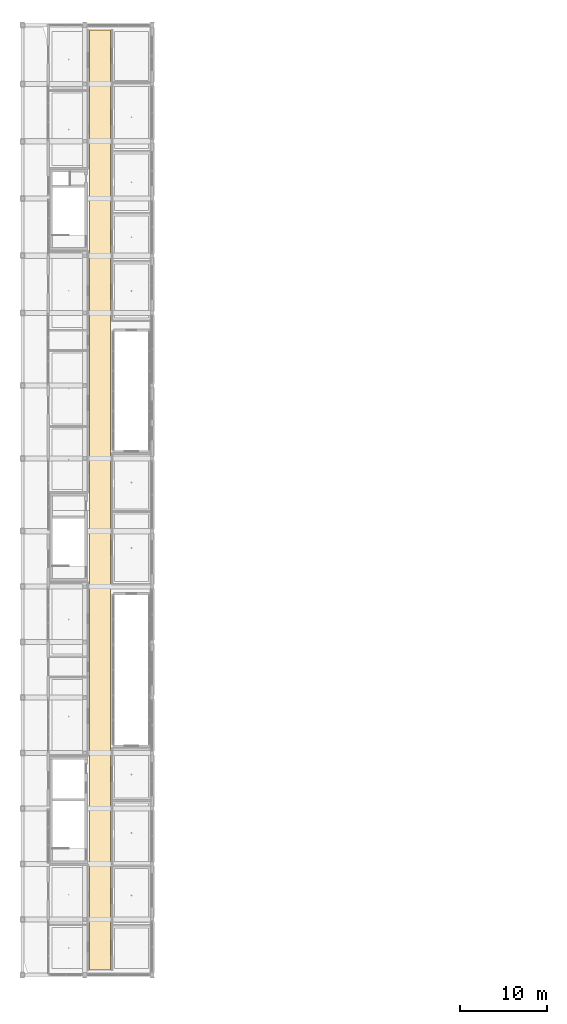
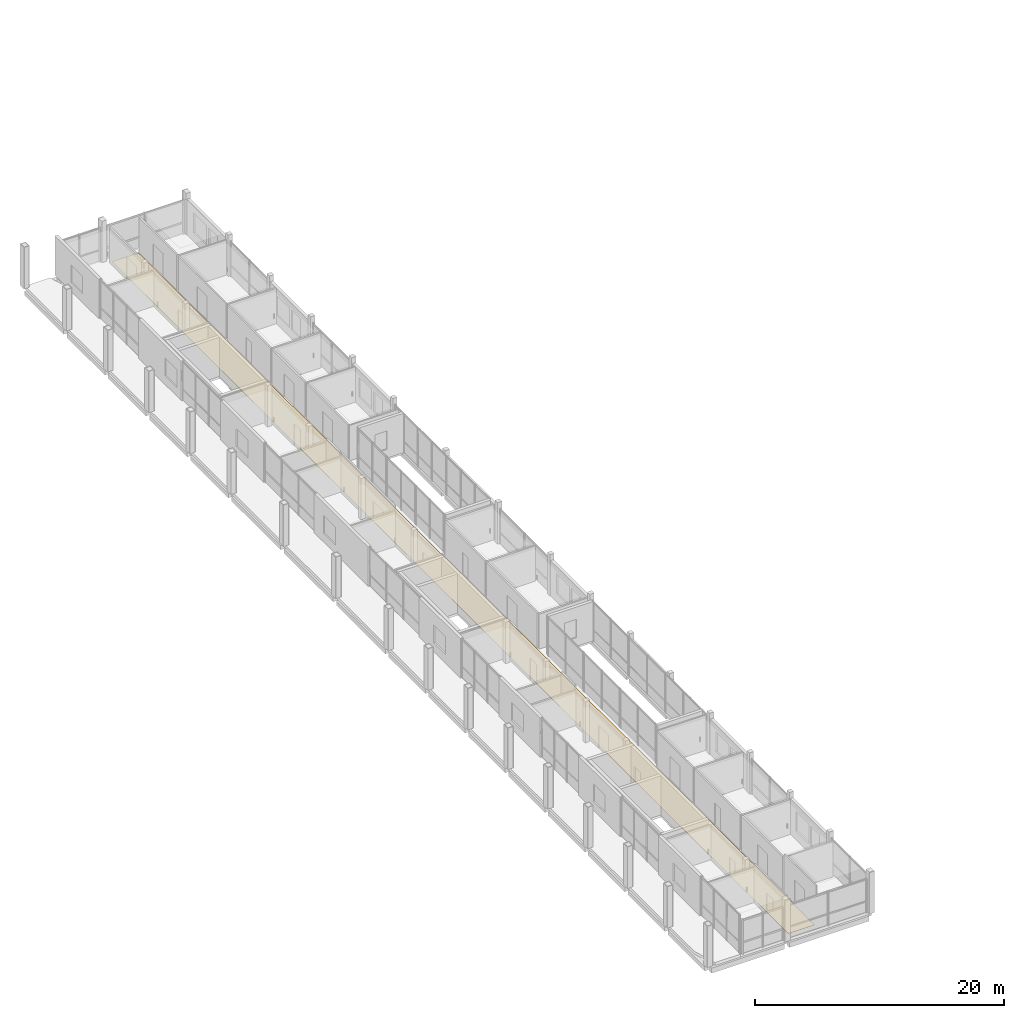
# One storey, part 22 of 24: 1 covering.
"""IFC4 building model written with IfcOpenShell, lengths in metres."""

from ifc_helpers import new_model, si_unit, derived_unit, direction, frame, origin, place, context, subcontext, project, spatial, polyline, outline, extrude, material, layer, layer_set, type_object, element, save


model = new_model("IFC4")

# Units and contexts
model_context = context("Model", 3, precision=1e-05, world=origin(), true_north=direction((0.0, 1.0)))
body_context = subcontext(model_context, "Body", "Model", "MODEL_VIEW")
ifc_project = project(units=[si_unit("LENGTHUNIT", "METRE"), si_unit("AREAUNIT", "SQUARE_METRE"), si_unit("VOLUMEUNIT", "CUBIC_METRE"), si_unit("PLANEANGLEUNIT", "RADIAN"), si_unit("MASSUNIT", "GRAM", prefix="KILO"), derived_unit("THERMALTRANSMITTANCEUNIT", [(si_unit("POWERUNIT", "WATT"), 1), (si_unit("LENGTHUNIT", "METRE"), -2), (si_unit("THERMODYNAMICTEMPERATUREUNIT", "KELVIN"), -1)])], contexts=[model_context])

# Site, building, storey
site_placement = place(None, origin())
site = spatial("IfcSite", under=ifc_project, at=site_placement, CompositionType="ELEMENT")
building_placement = place(site_placement, origin())
building = spatial("IfcBuilding", under=site, at=building_placement, Name="Braskholm Square Health Centre", CompositionType="ELEMENT")
storey_placement = place(building_placement, frame((0.0, 0.0, 21.60009765625)))
storey = spatial("IfcBuildingStorey", under=building, at=storey_placement, Name="L06", CompositionType="ELEMENT", Elevation=21.60009765625)

# Covering
ifc_material = material(Name="Polished geometric terrazzo flooring", Category="masonry")
ifc_layer = layer(ifc_material, 0.02001953125)
ifc_layer_set = layer_set([ifc_layer], Name="Polished geometric terrazzo flooring")
covering_type = type_object("IfcCoveringType", Name="PolishedTerrazzoFloorFinish", PredefinedType="FLOORING", material=ifc_layer_set)
covering_placement = place(storey_placement, origin())
element("IfcCovering", 1, at=covering_placement, inside=storey, type_object=covering_type, Name="Polished terrazzo floor L06-141", PredefinedType="FLOORING", context=body_context, shape_type="SweptSolid", body=[
    extrude(outline(polyline([(11.949951171875, 4.75), (14.39990234375, 4.75), (14.39990234375, 113.25), (11.949951171875, 113.25), (11.949951171875, 4.75)])), origin(), (0.0, 0.0, 1.0), 0.02001953125),
])

save(model, "model.ifc")
